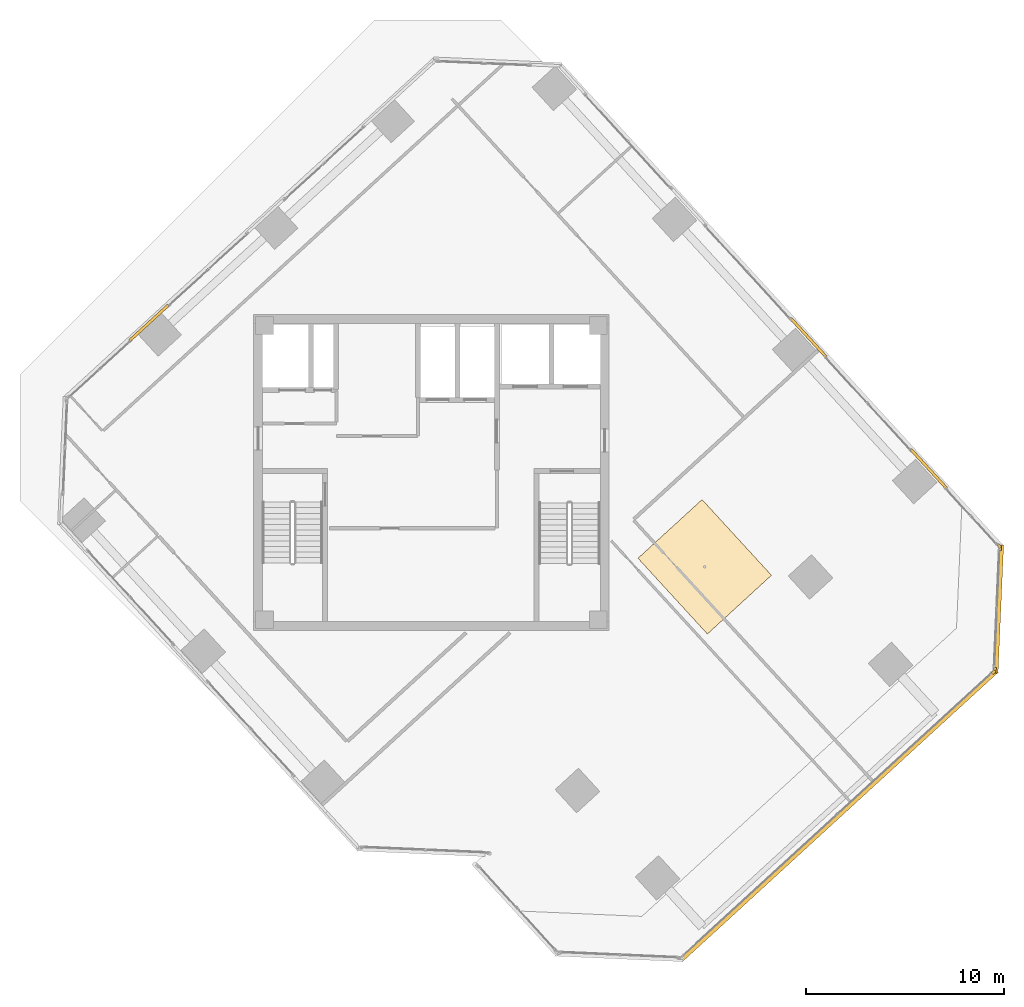
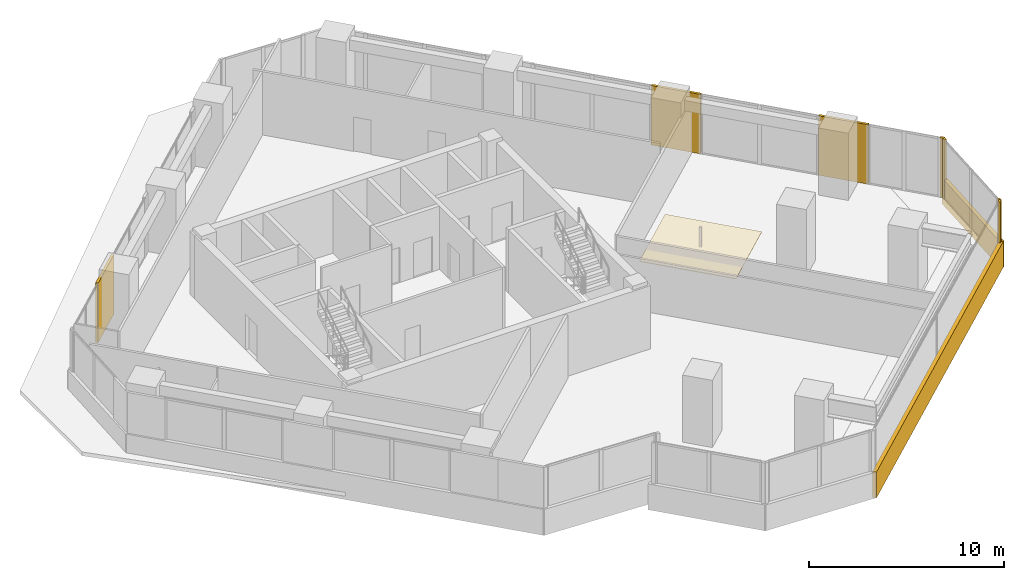
# One storey, part 16 of 17: 10 coverings.
"""IFC4 building model written with IfcOpenShell, lengths in metres."""

from ifc_helpers import new_model, si_unit, direction, frame, origin, origin_2d, place, context, subcontext, project, spatial, polyline, rectangle, outline, extrude, source, transform, mapped, material, layer, layer_set, type_object, element, save


model = new_model("IFC4")

# Units and contexts
model_context = context("Model", 3, precision=1e-05, world=origin(), true_north=direction((0.0, 1.0)))
body_context = subcontext(model_context, "Body", "Model", "MODEL_VIEW")
ifc_project = project(units=[si_unit("LENGTHUNIT", "METRE"), si_unit("AREAUNIT", "SQUARE_METRE"), si_unit("VOLUMEUNIT", "CUBIC_METRE"), si_unit("PLANEANGLEUNIT", "RADIAN"), si_unit("MASSUNIT", "GRAM", prefix="KILO")], contexts=[model_context])

# Site, building, storey
site_placement = place(None, origin())
site = spatial("IfcSite", under=ifc_project, at=site_placement, CompositionType="ELEMENT")
building_placement = place(site_placement, origin())
building = spatial("IfcBuilding", under=site, at=building_placement, Name="Torre Montelarca", CompositionType="ELEMENT")
storey_placement = place(building_placement, frame((0.0, 0.0, 254.199951171875)))
storey = spatial("IfcBuildingStorey", under=building, at=storey_placement, Name="L57", CompositionType="ELEMENT", Elevation=254.199951171875)

# Coverings
ifc_material_1 = material(Name="Perforated acoustic mineral fibre board", Category="gypsum")
ifc_layer_1 = layer(ifc_material_1, 0.0400390625, Name="Perforated acoustic mineral fibre board", Category="gypsum")
ifc_layer_set_1 = layer_set([ifc_layer_1], Name="Perforated acoustic mineral fibre board")
covering_type_1 = type_object("IfcCoveringType", Name="COV-CEIL-AC1", PredefinedType="CEILING", material=ifc_layer_set_1)
covering_1_placement = place(storey_placement, frame((0.0, 0.0, 2.719970703125)))
element("IfcCovering", 1, at=covering_1_placement, inside=storey, type_object=covering_type_1, Name="L57 Acoustic Suspended Ceiling 01", PredefinedType="CEILING", context=body_context, shape_type="SweptSolid", body=[
    extrude(outline(polyline([(28.459228515625, 27.661865234375), (31.97216796875, 23.827880859375), (35.21630859375, 26.800537109375), (31.703125, 30.634521484375), (28.459228515625, 27.661865234375)])), origin(), (0.0, 0.0, 1.0), 0.0400390625),
])
ifc_material_2 = material(Name="Bush-hammered warm white precast concrete C45/55", Category="concrete")
ifc_layer_2 = layer(ifc_material_2, 0.139892578125, Name="Bush-hammered warm white precast concrete C45/55", Category="concrete")
ifc_layer_set_2 = layer_set([ifc_layer_2], Name="Bush-hammered warm white precast concrete C45/55")
covering_type_2 = type_object("IfcCoveringType", Name="COV-TRAY-CLAD", PredefinedType="CLADDING", material=ifc_layer_set_2)
shared_shape_1 = source(origin(), body_context, "Body", "SweptSolid", [
    extrude(rectangle(XDim=6.48388671875, YDim=0.219970703125, at=origin_2d()), origin(), (0.0, 0.0, 1.0), 1.6201171875),
])
covering_2_placement = place(storey_placement, frame((46.71923828125, 25.09521484375, -0.449951171875), z_axis=(0.0, 0.0, 1.0), x_axis=(0.043621131033, 0.99904814545, 0.0)))
element("IfcCovering", 2, at=covering_2_placement, inside=storey, type_object=covering_type_2, Name="L57 Architectural White Spandrel Tray Band TRYBOT-07", PredefinedType="CLADDING", context=body_context, shape_type="MappedRepresentation", body=[
    mapped(shared_shape_1, transform((0.0, 0.0, 0.0), scale=1.0)),
])
shared_shape_2 = source(origin(), body_context, "Body", "SweptSolid", [
    extrude(rectangle(XDim=0.199951171875, YDim=0.139892578125, at=origin_2d()), origin(), (0.0, 0.0, 1.0), 3.719970703125),
])
for number, where, z_axis, x_axis, name in (
    (3, (46.46435546875, 21.90283203125, 0.0), (0.0, 0.0, 1.0), (0.73727733681, 0.675590207616, 0.0), "L57 Architectural Column Pier Cladding E06-2"),
    (4, (46.525634765625, 22.034423828125, 0.0), (0.0, 0.0, 1.0), (0.043628105704, 0.999047840893, 0.0), "L57 Architectural Column Pier Cladding E07-1"),
    (5, (46.793212890625, 28.160888671875, 0.0), (0.0, 0.0, 1.0), (0.043628105704, 0.999047840893, 0.0), "L57 Architectural Column Pier Cladding E07-2"),
    (6, (46.743408203125, 28.29736328125, 0.0), (0.0, 0.0, 1.0), (-0.675588920823, 0.737278515936, 0.0), "L57 Architectural Column Pier Cladding E08-1"),
):
    element("IfcCovering", number, at=place(storey_placement, frame(where, z_axis=z_axis, x_axis=x_axis)), inside=storey, type_object=covering_type_2, Name=name, PredefinedType="CLADDING", context=body_context, shape_type="MappedRepresentation", body=[
        mapped(shared_shape_2, transform((0.0, 0.0, 0.0), scale=1.0)),
    ])
shared_shape_3 = source(origin(), body_context, "Body", "SweptSolid", [
    extrude(rectangle(XDim=21.719970703125, YDim=0.219970703125, at=origin_2d()), origin(), (0.0, 0.0, 1.0), 1.6201171875),
])
covering_3_placement = place(storey_placement, frame((38.627685546875, 14.640625, -0.449951171875), z_axis=(0.0, 0.0, 1.0), x_axis=(0.737276157682, 0.675591494406, 0.0)))
element("IfcCovering", 7, at=covering_3_placement, inside=storey, type_object=covering_type_2, Name="L57 Architectural White Spandrel Tray Band TRYBOT-06", PredefinedType="CLADDING", context=body_context, shape_type="MappedRepresentation", body=[
    mapped(shared_shape_3, transform((0.0, 0.0, 0.0), scale=1.0)),
])
shared_shape_4 = source(origin(), body_context, "Body", "SweptSolid", [
    extrude(rectangle(XDim=2.659912109375, YDim=0.139892578125, at=origin_2d()), origin(), (0.0, 0.0, 1.0), 3.719970703125),
])
for number, where, z_axis, x_axis, name in (
    (8, (43.173583984375, 32.193115234375, 0.0), (0.0, 0.0, 1.0), (-0.675588920823, 0.737278515936, 0.0), "L57 Architectural Column Pier Cladding E08-2"),
    (9, (37.09326171875, 38.82861328125, 0.0), (0.0, 0.0, 1.0), (-0.675588920823, 0.737278515936, 0.0), "L57 Architectural Column Pier Cladding E08-3"),
    (10, (3.70458984375, 39.57861328125, 0.0), (0.0, 0.0, 1.0), (-0.737276157682, -0.675591494406, 0.0), "L57 Architectural Column Pier Cladding E10-4"),
):
    element("IfcCovering", number, at=place(storey_placement, frame(where, z_axis=z_axis, x_axis=x_axis)), inside=storey, type_object=covering_type_2, Name=name, PredefinedType="CLADDING", context=body_context, shape_type="MappedRepresentation", body=[
        mapped(shared_shape_4, transform((0.0, 0.0, 0.0), scale=1.0)),
    ])

save(model, "model.ifc")
